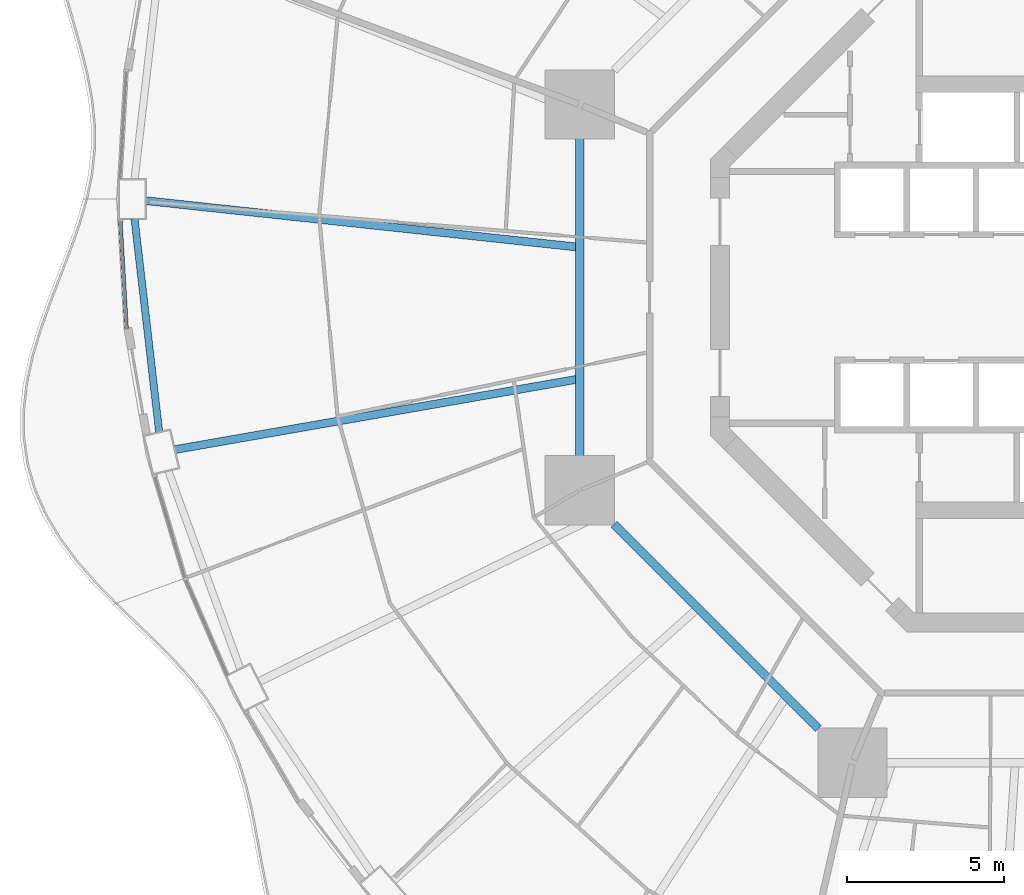
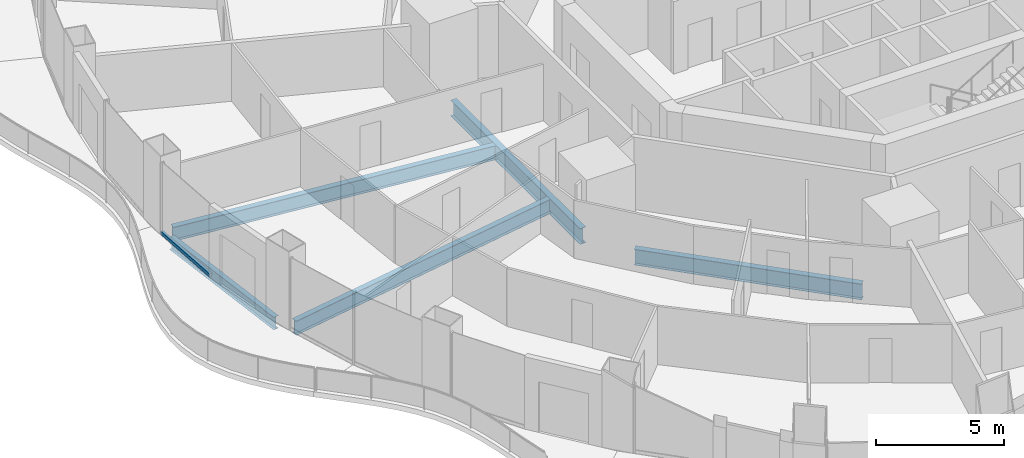
# One storey, part 4 of 22: 5 beams, 1 member, 1 element without a shape of its own.
"""IFC4 building model written with IfcOpenShell, lengths in metres."""

from ifc_helpers import new_model, si_unit, direction, frame, origin, origin_2d, place, context, subcontext, project, spatial, rectangle, i_section, extrude, material, layer, layer_set, material_profile, profile_set, type_object, element, aggregate, save


model = new_model("IFC4")

# Units and contexts
model_context = context("Model", 3, precision=1e-05, world=origin(), true_north=direction((0.0, 1.0)))
body_context = subcontext(model_context, "Body", "Model", "MODEL_VIEW")
ifc_project = project(units=[si_unit("LENGTHUNIT", "METRE"), si_unit("AREAUNIT", "SQUARE_METRE"), si_unit("VOLUMEUNIT", "CUBIC_METRE"), si_unit("PLANEANGLEUNIT", "RADIAN"), si_unit("MASSUNIT", "GRAM", prefix="KILO")], contexts=[model_context])

# Site, building, storey
site_placement = place(None, origin())
site = spatial("IfcSite", under=ifc_project, at=site_placement, CompositionType="ELEMENT")
building_placement = place(site_placement, origin())
building = spatial("IfcBuilding", under=site, at=building_placement, Name="Nagisa Residences", CompositionType="ELEMENT")
storey_placement = place(building_placement, frame((0.0, 0.0, 77.0)))
storey = spatial("IfcBuildingStorey", under=building, at=storey_placement, Name="L18", CompositionType="ELEMENT", Elevation=77.0)

# Curtain wall, member
ifc_material_1 = material(Name="Concrete-coloured aluminium curtain wall system", Category="concrete")
ifc_layer = layer(ifc_material_1, 0.159912109375)
ifc_layer_set = layer_set([ifc_layer], Name="CW1 CURTAIN WALL")
curtain_wall_type = type_object("IfcCurtainWallType", Name="CW1 CURTAIN WALL", PredefinedType="NOTDEFINED", material=ifc_layer_set)
curtain_wall_placement = place(storey_placement, origin())
curtain_wall = element("IfcCurtainWall", 1, at=curtain_wall_placement, inside=storey, type_object=curtain_wall_type, Name="cw:CW1:L18:24", PredefinedType="NOTDEFINED")
ifc_material_2 = material(Name="Concrete-coloured aluminium", Category="concrete")
ifc_material_profile_1 = material_profile(ifc_material_2, rectangle(XDim=0.1201171875, YDim=0.14990234375, at=origin_2d()), Name="CW1 TRANSOM 120x150")
ifc_profile_set_1 = profile_set([ifc_material_profile_1], Name="Concrete-coloured aluminium")
member_type = type_object("IfcMemberType", Name="CW1 TRANSOM 120x150", PredefinedType="USERDEFINED", material=ifc_profile_set_1)
member_placement = place(storey_placement, frame((-29.377685546875, 2.473388671875, 0.074951171875), z_axis=(0.057476526179, -0.99834685803, 0.0), x_axis=(0.99834685803, 0.057476526179, 0.0)))
member = element("IfcMember", 2, at=member_placement, type_object=member_type, Name="CW1 transom", ObjectType="TRANSOM", PredefinedType="USERDEFINED", context=body_context, shape_type="SweptSolid", body=[
    extrude(rectangle(XDim=0.1201171875, YDim=0.14990234375, at=origin_2d()), origin(), (0.0, 0.0, 1.0), 3.47021484375),
])
aggregate(curtain_wall, [member])

# Beams
ifc_material_3 = material(Name="Steel ASTM A572 Gr 50", Category="steel")
ifc_material_profile_2 = material_profile(ifc_material_3, i_section(OverallWidth=0.264892578125, OverallDepth=0.7529296875, WebThickness=0.01318359375, FlangeThickness=0.01708984375, at=origin_2d()), Name="W760x147")
ifc_profile_set_2 = profile_set([ifc_material_profile_2], Name="Steel ASTM A572 Gr 50")
beam_type_1 = type_object("IfcBeamType", Name="Inner ring beam W760x147", PredefinedType="BEAM", material=ifc_profile_set_2)
beam_1_placement = place(storey_placement, frame((-14.781982421875, 5.04296875, -0.636474609375), z_axis=(0.0, -1.0, 0.0), x_axis=(1.0, 0.0, 0.0)))
element("IfcBeam", 3, at=beam_1_placement, inside=storey, type_object=beam_type_1, Name="beam:L18:ib4", PredefinedType="BEAM", context=body_context, shape_type="SweptSolid", body=[
    extrude(i_section(OverallWidth=0.264892578125, OverallDepth=0.7529296875, WebThickness=0.01318359375, FlangeThickness=0.01708984375, at=origin_2d()), origin(), (0.0, 0.0, 1.0), 10.0859375),
])
beam_2_placement = place(storey_placement, frame((-13.6962890625, -7.208740234375, -0.636474609375), z_axis=(0.707106781187, -0.707106781187, 0.0), x_axis=(0.707106781187, 0.707106781187, 0.0)))
element("IfcBeam", 4, at=beam_2_placement, inside=storey, type_object=beam_type_1, Name="beam:L18:ib5", PredefinedType="BEAM", context=body_context, shape_type="SweptSolid", body=[
    extrude(i_section(OverallWidth=0.264892578125, OverallDepth=0.7529296875, WebThickness=0.01318359375, FlangeThickness=0.01708984375, at=origin_2d()), origin(), (0.0, 0.0, 1.0), 9.1748046875),
])
ifc_material_4 = material(Name="Steel ASTM A572 Gr 50", Category="steel")
ifc_material_profile_3 = material_profile(ifc_material_4, i_section(OverallWidth=0.22802734375, OverallDepth=0.60302734375, WebThickness=0.010498046875, FlangeThickness=0.014892578125, at=origin_2d()), Name="W610x101")
ifc_profile_set_3 = profile_set([ifc_material_profile_3], Name="Steel ASTM A572 Gr 50")
beam_type_2 = type_object("IfcBeamType", Name="Perimeter ring beam W610x101", PredefinedType="BEAM", material=ifc_profile_set_3)
beam_3_placement = place(storey_placement, frame((-28.92236328125, 2.487548828125, -0.5615234375), z_axis=(0.114690766503, -0.993401242237, 0.0), x_axis=(0.993401242237, 0.114690766503, 0.0)))
element("IfcBeam", 5, at=beam_3_placement, inside=storey, type_object=beam_type_2, Name="beam:L18:pb13", PredefinedType="BEAM", context=body_context, shape_type="SweptSolid", body=[
    extrude(i_section(OverallWidth=0.22802734375, OverallDepth=0.60302734375, WebThickness=0.010498046875, FlangeThickness=0.014892578125, at=origin_2d()), origin(), (0.0, 0.0, 1.0), 6.811767578125),
])
ifc_material_5 = material(Name="Steel ASTM A572 Gr 50", Category="steel")
ifc_material_profile_4 = material_profile(ifc_material_5, i_section(OverallWidth=0.2529296875, OverallDepth=0.677978515625, WebThickness=0.01171875, FlangeThickness=0.016357421875, at=origin_2d()), Name="W690x125")
ifc_profile_set_4 = profile_set([ifc_material_profile_4], Name="Steel ASTM A572 Gr 50")
beam_type_3 = type_object("IfcBeamType", Name="Radial beam W690x125", PredefinedType="BEAM", material=ifc_profile_set_4)
beam_4_placement = place(storey_placement, frame((-28.56494140625, 3.071533203125, -0.59912109375), z_axis=(0.99426817007, -0.10691494744, 0.0), x_axis=(0.10691494744, 0.99426817007, 0.0)))
element("IfcBeam", 6, at=beam_4_placement, inside=storey, type_object=beam_type_3, Name="beam:L18:rb13", PredefinedType="BEAM", context=body_context, shape_type="SweptSolid", body=[
    extrude(i_section(OverallWidth=0.2529296875, OverallDepth=0.677978515625, WebThickness=0.01171875, FlangeThickness=0.016357421875, at=origin_2d()), origin(), (0.0, 0.0, 1.0), 13.7490234375),
])
beam_5_placement = place(storey_placement, frame((-27.64404296875, -4.83544921875, -0.59912109375), z_axis=(0.985042235616, 0.172313069883, 0.0), x_axis=(-0.172313069883, 0.985042235616, 0.0)))
element("IfcBeam", 7, at=beam_5_placement, inside=storey, type_object=beam_type_3, Name="beam:L18:rb14", PredefinedType="BEAM", context=body_context, shape_type="SweptSolid", body=[
    extrude(i_section(OverallWidth=0.2529296875, OverallDepth=0.677978515625, WebThickness=0.01171875, FlangeThickness=0.016357421875, at=origin_2d()), origin(), (0.0, 0.0, 1.0), 12.94287109375),
])

save(model, "model.ifc")
